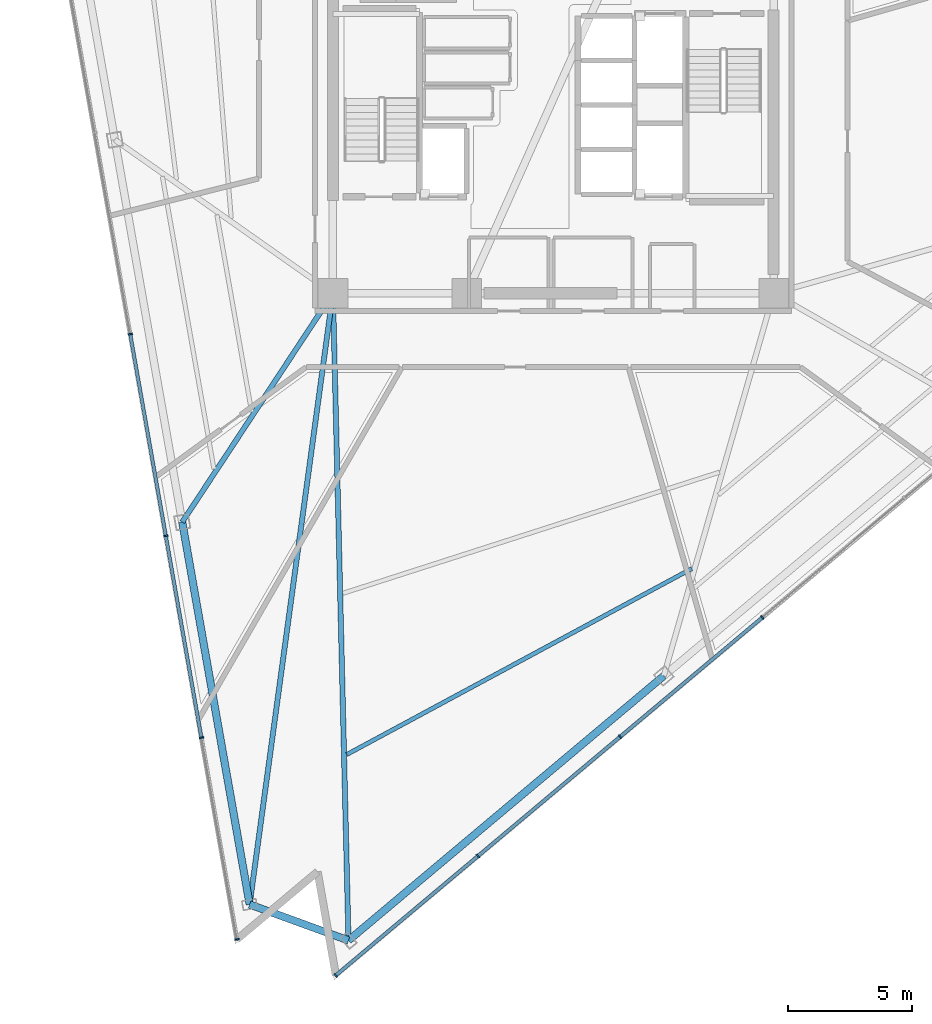
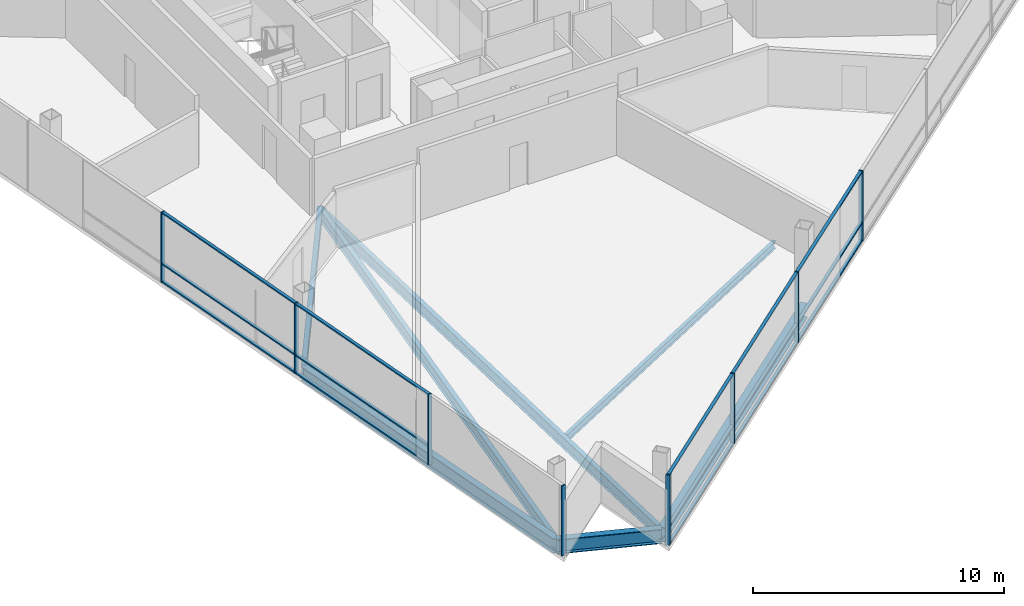
# One storey, part 2 of 15: 23 members, 7 beams, 2 elements without a shape of their own.
"""IFC4 building model written with IfcOpenShell, lengths in metres."""

from ifc_helpers import new_model, si_unit, direction, frame, origin, origin_2d, place, context, subcontext, project, spatial, rectangle, i_section, extrude, material, layer, layer_set, material_profile, profile_set, type_object, element, aggregate, save


model = new_model("IFC4")

# Units and contexts
model_context = context("Model", 3, precision=1e-05, world=origin(), true_north=direction((0.0, 1.0)))
body_context = subcontext(model_context, "Body", "Model", "MODEL_VIEW")
ifc_project = project(units=[si_unit("LENGTHUNIT", "METRE"), si_unit("AREAUNIT", "SQUARE_METRE"), si_unit("VOLUMEUNIT", "CUBIC_METRE"), si_unit("PLANEANGLEUNIT", "RADIAN"), si_unit("MASSUNIT", "GRAM", prefix="KILO")], contexts=[model_context])

# Site, building, storey
site_placement = place(None, origin())
site = spatial("IfcSite", under=ifc_project, at=site_placement, CompositionType="ELEMENT")
building_placement = place(site_placement, origin())
building = spatial("IfcBuilding", under=site, at=building_placement, Name="Tharavind Bronze Gate", CompositionType="ELEMENT")
storey_placement = place(building_placement, frame((0.0, 0.0, 174.10009765625)))
storey = spatial("IfcBuildingStorey", under=building, at=storey_placement, Name="L44", CompositionType="ELEMENT", Elevation=174.10009765625)

# Curtain wall, members
ifc_material_1 = material(Name="Anodised Bronze Aluminium", Category="aluminium")
ifc_layer = layer(ifc_material_1, 0.219970703125)
ifc_layer_set = layer_set([ifc_layer], Name="Anodised Bronze Aluminium")
curtain_wall_type = type_object("IfcCurtainWallType", Name="UNITISED CURTAIN WALL MID OFFICE", PredefinedType="USERDEFINED", material=ifc_layer_set)
curtain_wall_1_placement = place(storey_placement, origin())
curtain_wall_1 = element("IfcCurtainWall", 1, at=curtain_wall_1_placement, inside=storey, type_object=curtain_wall_type, Name="L44 unitised curtain wall mid office CW-L44-S1", ObjectType="UNITISED CURTAIN WALL", PredefinedType="USERDEFINED")
member_type_1 = type_object("IfcMemberType", Name="CURTAIN WALL BRONZE MULLION 65X180", PredefinedType="MULLION", material=ifc_material_1)
member_1_placement = place(storey_placement, frame((-17.086669921875, -9.250732421875, 0.0), z_axis=(0.0, 0.0, 1.0), x_axis=(0.173648177667, -0.984807753012, 0.0)))
member_1 = element("IfcMember", 2, at=member_1_placement, type_object=member_type_1, Name="CW-L44-S1 mullion 4", PredefinedType="MULLION", context=body_context, shape_type="SweptSolid", body=[
    extrude(rectangle(XDim=0.06494140625, YDim=0.179931640625, at=origin_2d()), origin(), (0.0, 0.0, 1.0), 3.419921875),
])
member_2_placement = place(storey_placement, frame((-15.650146484375, -17.3984375, 0.0), z_axis=(0.0, 0.0, 1.0), x_axis=(0.173648177667, -0.984807753012, 0.0)))
member_2 = element("IfcMember", 3, at=member_2_placement, type_object=member_type_1, Name="CW-L44-S1 mullion 5", PredefinedType="MULLION", context=body_context, shape_type="SweptSolid", body=[
    extrude(rectangle(XDim=0.06494140625, YDim=0.179931640625, at=origin_2d()), origin(), (0.0, 0.0, 1.0), 3.419921875),
])
member_3_placement = place(storey_placement, frame((-14.21337890625, -25.546142578125, 0.0), z_axis=(0.0, 0.0, 1.0), x_axis=(0.173648177667, -0.984807753012, 0.0)))
member_3 = element("IfcMember", 4, at=member_3_placement, type_object=member_type_1, Name="CW-L44-S1 mullion 6", PredefinedType="MULLION", context=body_context, shape_type="SweptSolid", body=[
    extrude(rectangle(XDim=0.06494140625, YDim=0.179931640625, at=origin_2d()), origin(), (0.0, 0.0, 1.0), 3.419921875),
])
member_4_placement = place(storey_placement, frame((-12.77685546875, -33.69384765625, 0.0), z_axis=(0.0, 0.0, 1.0), x_axis=(0.173648177667, -0.984807753012, 0.0)))
member_4 = element("IfcMember", 5, at=member_4_placement, type_object=member_type_1, Name="CW-L44-S1 mullion 7", PredefinedType="MULLION", context=body_context, shape_type="SweptSolid", body=[
    extrude(rectangle(XDim=0.06494140625, YDim=0.179931640625, at=origin_2d()), origin(), (0.0, 0.0, 1.0), 3.419921875),
])

curtain_wall_2_placement = place(storey_placement, origin())
curtain_wall_2 = element("IfcCurtainWall", 6, at=curtain_wall_2_placement, inside=storey, type_object=curtain_wall_type, Name="L44 unitised curtain wall mid office CW-L44-S2", ObjectType="UNITISED CURTAIN WALL", PredefinedType="USERDEFINED")
member_5_placement = place(storey_placement, frame((-8.784912109375, -35.146728515625, 0.0), z_axis=(0.0, 0.0, 1.0), x_axis=(0.766043321242, 0.642788946685, 0.0)))
member_5 = element("IfcMember", 7, at=member_5_placement, type_object=member_type_1, Name="CW-L44-S2 mullion 1", PredefinedType="MULLION", context=body_context, shape_type="SweptSolid", body=[
    extrude(rectangle(XDim=0.06494140625, YDim=0.179931640625, at=origin_2d()), origin(), (0.0, 0.0, 1.0), 3.419921875),
])
member_6_placement = place(storey_placement, frame((-3.042724609375, -30.328369140625, 0.0), z_axis=(0.0, 0.0, 1.0), x_axis=(0.766043321242, 0.642788946685, 0.0)))
member_6 = element("IfcMember", 8, at=member_6_placement, type_object=member_type_1, Name="CW-L44-S2 mullion 2", PredefinedType="MULLION", context=body_context, shape_type="SweptSolid", body=[
    extrude(rectangle(XDim=0.06494140625, YDim=0.179931640625, at=origin_2d()), origin(), (0.0, 0.0, 1.0), 3.419921875),
])
member_7_placement = place(storey_placement, frame((2.69970703125, -25.510009765625, 0.0), z_axis=(0.0, 0.0, 1.0), x_axis=(0.766043321242, 0.642788946685, 0.0)))
member_7 = element("IfcMember", 9, at=member_7_placement, type_object=member_type_1, Name="CW-L44-S2 mullion 3", PredefinedType="MULLION", context=body_context, shape_type="SweptSolid", body=[
    extrude(rectangle(XDim=0.06494140625, YDim=0.179931640625, at=origin_2d()), origin(), (0.0, 0.0, 1.0), 3.419921875),
])
member_8_placement = place(storey_placement, frame((8.44189453125, -20.691650390625, 0.0), z_axis=(0.0, 0.0, 1.0), x_axis=(0.766043321242, 0.642788946685, 0.0)))
member_8 = element("IfcMember", 10, at=member_8_placement, type_object=member_type_1, Name="CW-L44-S2 mullion 4", PredefinedType="MULLION", context=body_context, shape_type="SweptSolid", body=[
    extrude(rectangle(XDim=0.06494140625, YDim=0.179931640625, at=origin_2d()), origin(), (0.0, 0.0, 1.0), 3.419921875),
])

# Member
member_type_2 = type_object("IfcMemberType", Name="CURTAIN WALL BRONZE TRANSOM 65X140", PredefinedType="USERDEFINED", material=ifc_material_1)
member_9_placement = place(storey_placement, frame((-16.368408203125, -13.32470703125, 0.0), z_axis=(0.0, 0.0, 1.0), x_axis=(0.173648177667, -0.984807753012, 0.0)))
member_9 = element("IfcMember", 11, at=member_9_placement, type_object=member_type_2, Name="CW-L44-S1 transom TB4", ObjectType="TRANSOM", PredefinedType="USERDEFINED", context=body_context, shape_type="SweptSolid", body=[
    extrude(rectangle(XDim=8.220458984375, YDim=0.139892578125, at=origin_2d()), origin(), (0.0, 0.0, 1.0), 0.06494140625),
])

member_10_placement = place(storey_placement, frame((-16.368408203125, -13.32470703125, 0.867431640625), z_axis=(0.0, 0.0, 1.0), x_axis=(0.173648177667, -0.984807753012, 0.0)))
member_10 = element("IfcMember", 12, at=member_10_placement, type_object=member_type_2, Name="CW-L44-S1 transom TS4", ObjectType="TRANSOM", PredefinedType="USERDEFINED", context=body_context, shape_type="SweptSolid", body=[
    extrude(rectangle(XDim=8.220458984375, YDim=0.139892578125, at=origin_2d()), origin(), (0.0, 0.0, 1.0), 0.06494140625),
])

member_11_placement = place(storey_placement, frame((-16.368408203125, -13.32470703125, 3.35498046875), z_axis=(0.0, 0.0, 1.0), x_axis=(0.173648177667, -0.984807753012, 0.0)))
member_11 = element("IfcMember", 13, at=member_11_placement, type_object=member_type_2, Name="CW-L44-S1 transom TT4", ObjectType="TRANSOM", PredefinedType="USERDEFINED", context=body_context, shape_type="SweptSolid", body=[
    extrude(rectangle(XDim=8.220458984375, YDim=0.139892578125, at=origin_2d()), origin(), (0.0, 0.0, 1.0), 0.06494140625),
])

member_12_placement = place(storey_placement, frame((-14.931884765625, -21.472412109375, 0.0), z_axis=(0.0, 0.0, 1.0), x_axis=(0.173648177667, -0.984807753012, 0.0)))
member_12 = element("IfcMember", 14, at=member_12_placement, type_object=member_type_2, Name="CW-L44-S1 transom TB5", ObjectType="TRANSOM", PredefinedType="USERDEFINED", context=body_context, shape_type="SweptSolid", body=[
    extrude(rectangle(XDim=8.220458984375, YDim=0.139892578125, at=origin_2d()), origin(), (0.0, 0.0, 1.0), 0.06494140625),
])

member_13_placement = place(storey_placement, frame((-14.931884765625, -21.472412109375, 0.867431640625), z_axis=(0.0, 0.0, 1.0), x_axis=(0.173648177667, -0.984807753012, 0.0)))
member_13 = element("IfcMember", 15, at=member_13_placement, type_object=member_type_2, Name="CW-L44-S1 transom TS5", ObjectType="TRANSOM", PredefinedType="USERDEFINED", context=body_context, shape_type="SweptSolid", body=[
    extrude(rectangle(XDim=8.220458984375, YDim=0.139892578125, at=origin_2d()), origin(), (0.0, 0.0, 1.0), 0.06494140625),
])

member_14_placement = place(storey_placement, frame((-14.931884765625, -21.472412109375, 3.35498046875), z_axis=(0.0, 0.0, 1.0), x_axis=(0.173648177667, -0.984807753012, 0.0)))
member_14 = element("IfcMember", 16, at=member_14_placement, type_object=member_type_2, Name="CW-L44-S1 transom TT5", ObjectType="TRANSOM", PredefinedType="USERDEFINED", context=body_context, shape_type="SweptSolid", body=[
    extrude(rectangle(XDim=8.220458984375, YDim=0.139892578125, at=origin_2d()), origin(), (0.0, 0.0, 1.0), 0.06494140625),
])

aggregate(curtain_wall_1, [member_1, member_2, member_3, member_4, member_9, member_10, member_11, member_12, member_13, member_14])

member_15_placement = place(storey_placement, frame((-5.913818359375, -32.737548828125, 0.0), z_axis=(0.0, 0.0, 1.0), x_axis=(0.766043321242, 0.642788946685, 0.0)))
member_15 = element("IfcMember", 17, at=member_15_placement, type_object=member_type_2, Name="CW-L44-S2 transom TB1", ObjectType="TRANSOM", PredefinedType="USERDEFINED", context=body_context, shape_type="SweptSolid", body=[
    extrude(rectangle(XDim=7.443115234375, YDim=0.139892578125, at=origin_2d()), origin(), (0.0, 0.0, 1.0), 0.06494140625),
])

member_16_placement = place(storey_placement, frame((-5.913818359375, -32.737548828125, 0.867431640625), z_axis=(0.0, 0.0, 1.0), x_axis=(0.766043321242, 0.642788946685, 0.0)))
member_16 = element("IfcMember", 18, at=member_16_placement, type_object=member_type_2, Name="CW-L44-S2 transom TS1", ObjectType="TRANSOM", PredefinedType="USERDEFINED", context=body_context, shape_type="SweptSolid", body=[
    extrude(rectangle(XDim=7.443115234375, YDim=0.139892578125, at=origin_2d()), origin(), (0.0, 0.0, 1.0), 0.06494140625),
])

member_17_placement = place(storey_placement, frame((-5.913818359375, -32.737548828125, 3.35498046875), z_axis=(0.0, 0.0, 1.0), x_axis=(0.766043321242, 0.642788946685, 0.0)))
member_17 = element("IfcMember", 19, at=member_17_placement, type_object=member_type_2, Name="CW-L44-S2 transom TT1", ObjectType="TRANSOM", PredefinedType="USERDEFINED", context=body_context, shape_type="SweptSolid", body=[
    extrude(rectangle(XDim=7.443115234375, YDim=0.139892578125, at=origin_2d()), origin(), (0.0, 0.0, 1.0), 0.06494140625),
])

member_18_placement = place(storey_placement, frame((-0.171630859375, -27.919189453125, 0.0), z_axis=(0.0, 0.0, 1.0), x_axis=(0.766043321242, 0.642788946685, 0.0)))
member_18 = element("IfcMember", 20, at=member_18_placement, type_object=member_type_2, Name="CW-L44-S2 transom TB2", ObjectType="TRANSOM", PredefinedType="USERDEFINED", context=body_context, shape_type="SweptSolid", body=[
    extrude(rectangle(XDim=7.443115234375, YDim=0.139892578125, at=origin_2d()), origin(), (0.0, 0.0, 1.0), 0.06494140625),
])

member_19_placement = place(storey_placement, frame((-0.171630859375, -27.919189453125, 0.867431640625), z_axis=(0.0, 0.0, 1.0), x_axis=(0.766043321242, 0.642788946685, 0.0)))
member_19 = element("IfcMember", 21, at=member_19_placement, type_object=member_type_2, Name="CW-L44-S2 transom TS2", ObjectType="TRANSOM", PredefinedType="USERDEFINED", context=body_context, shape_type="SweptSolid", body=[
    extrude(rectangle(XDim=7.443115234375, YDim=0.139892578125, at=origin_2d()), origin(), (0.0, 0.0, 1.0), 0.06494140625),
])

member_20_placement = place(storey_placement, frame((-0.171630859375, -27.919189453125, 3.35498046875), z_axis=(0.0, 0.0, 1.0), x_axis=(0.766043321242, 0.642788946685, 0.0)))
member_20 = element("IfcMember", 22, at=member_20_placement, type_object=member_type_2, Name="CW-L44-S2 transom TT2", ObjectType="TRANSOM", PredefinedType="USERDEFINED", context=body_context, shape_type="SweptSolid", body=[
    extrude(rectangle(XDim=7.443115234375, YDim=0.139892578125, at=origin_2d()), origin(), (0.0, 0.0, 1.0), 0.06494140625),
])

member_21_placement = place(storey_placement, frame((5.57080078125, -23.100830078125, 0.0), z_axis=(0.0, 0.0, 1.0), x_axis=(0.766043321242, 0.642788946685, 0.0)))
member_21 = element("IfcMember", 23, at=member_21_placement, type_object=member_type_2, Name="CW-L44-S2 transom TB3", ObjectType="TRANSOM", PredefinedType="USERDEFINED", context=body_context, shape_type="SweptSolid", body=[
    extrude(rectangle(XDim=7.443115234375, YDim=0.139892578125, at=origin_2d()), origin(), (0.0, 0.0, 1.0), 0.06494140625),
])

member_22_placement = place(storey_placement, frame((5.57080078125, -23.100830078125, 0.867431640625), z_axis=(0.0, 0.0, 1.0), x_axis=(0.766043321242, 0.642788946685, 0.0)))
member_22 = element("IfcMember", 24, at=member_22_placement, type_object=member_type_2, Name="CW-L44-S2 transom TS3", ObjectType="TRANSOM", PredefinedType="USERDEFINED", context=body_context, shape_type="SweptSolid", body=[
    extrude(rectangle(XDim=7.443115234375, YDim=0.139892578125, at=origin_2d()), origin(), (0.0, 0.0, 1.0), 0.06494140625),
])

member_23_placement = place(storey_placement, frame((5.57080078125, -23.100830078125, 3.35498046875), z_axis=(0.0, 0.0, 1.0), x_axis=(0.766043321242, 0.642788946685, 0.0)))
member_23 = element("IfcMember", 25, at=member_23_placement, type_object=member_type_2, Name="CW-L44-S2 transom TT3", ObjectType="TRANSOM", PredefinedType="USERDEFINED", context=body_context, shape_type="SweptSolid", body=[
    extrude(rectangle(XDim=7.443115234375, YDim=0.139892578125, at=origin_2d()), origin(), (0.0, 0.0, 1.0), 0.06494140625),
])

aggregate(curtain_wall_2, [member_5, member_6, member_7, member_8, member_15, member_16, member_17, member_18, member_19, member_20, member_21, member_22, member_23])

# Beams
ifc_material_2 = material(Name="Steel S355", Category="steel")
ifc_material_profile_1 = material_profile(ifc_material_2, i_section(OverallWidth=0.2099609375, OverallDepth=0.550048828125, WebThickness=0.010986328125, FlangeThickness=0.01708984375, at=origin_2d()), Name="IPE550")
ifc_profile_set_1 = profile_set([ifc_material_profile_1], Name="Steel S355")
beam_type_1 = type_object("IfcBeamType", Name="PRIMARY GIRDER IPE550", PredefinedType="USERDEFINED", material=ifc_profile_set_1)
beam_1_placement = place(storey_placement, frame((-14.98681640625, -16.841796875, -0.455078125), z_axis=(0.550048368659, 0.835132799102, 0.0), x_axis=(-0.835132799102, 0.550048368659, 0.0)))
element("IfcBeam", 26, at=beam_1_placement, inside=storey, type_object=beam_type_1, Name="L44 primary girder ipe550 BM-L44-RAD03", ObjectType="GIRDER", PredefinedType="USERDEFINED", context=body_context, shape_type="SweptSolid", body=[
    extrude(i_section(OverallWidth=0.2099609375, OverallDepth=0.550048828125, WebThickness=0.010986328125, FlangeThickness=0.01708984375, at=origin_2d()), origin(), (0.0, 0.0, 1.0), 11.066162109375),
])
beam_2_placement = place(storey_placement, frame((-12.263916015625, -32.2841796875, -0.455078125), z_axis=(0.135034486087, 0.99084089922, 0.0), x_axis=(-0.99084089922, 0.135034486087, 0.0)))
element("IfcBeam", 27, at=beam_2_placement, inside=storey, type_object=beam_type_1, Name="L44 primary girder ipe550 BM-L44-RAD04", ObjectType="GIRDER", PredefinedType="USERDEFINED", context=body_context, shape_type="SweptSolid", body=[
    extrude(i_section(OverallWidth=0.2099609375, OverallDepth=0.550048828125, WebThickness=0.010986328125, FlangeThickness=0.01708984375, at=origin_2d()), origin(), (0.0, 0.0, 1.0), 24.912353515625),
])
beam_3_placement = place(storey_placement, frame((-8.27197265625, -33.737060546875, -0.455078125), z_axis=(-0.024017654771, 0.999711534523, 0.0), x_axis=(-0.999711534523, -0.024017654771, 0.0)))
element("IfcBeam", 28, at=beam_3_placement, inside=storey, type_object=beam_type_1, Name="L44 primary girder ipe550 BM-L44-RAD05", ObjectType="GIRDER", PredefinedType="USERDEFINED", context=body_context, shape_type="SweptSolid", body=[
    extrude(i_section(OverallWidth=0.2099609375, OverallDepth=0.550048828125, WebThickness=0.010986328125, FlangeThickness=0.01708984375, at=origin_2d()), origin(), (0.0, 0.0, 1.0), 26.14453125),
])
ifc_material_profile_2 = material_profile(ifc_material_2, i_section(OverallWidth=0.300048828125, OverallDepth=0.699951171875, WebThickness=0.01708984375, FlangeThickness=0.031982421875, at=origin_2d()), Name="HE700B")
ifc_profile_set_2 = profile_set([ifc_material_profile_2], Name="Steel S355")
beam_type_2 = type_object("IfcBeamType", Name="RING GIRDER HE700B", PredefinedType="USERDEFINED", material=ifc_profile_set_2)
beam_4_placement = place(storey_placement, frame((-14.98681640625, -16.841796875, -0.530029296875), z_axis=(0.173647661488, -0.984807844028, 0.0), x_axis=(0.984807844028, 0.173647661488, 0.0)))
element("IfcBeam", 29, at=beam_4_placement, inside=storey, type_object=beam_type_2, Name="L44 ring girder he700b BM-L44-PRG03", ObjectType="GIRDER", PredefinedType="USERDEFINED", context=body_context, shape_type="SweptSolid", body=[
    extrude(i_section(OverallWidth=0.300048828125, OverallDepth=0.699951171875, WebThickness=0.01708984375, FlangeThickness=0.031982421875, at=origin_2d()), origin(), (0.0, 0.0, 1.0), 15.6806640625),
])
beam_5_placement = place(storey_placement, frame((-12.263916015625, -32.2841796875, -0.530029296875), z_axis=(0.939697742591, -0.342006070953, 0.0), x_axis=(0.342006070953, 0.939697742591, 0.0)))
element("IfcBeam", 30, at=beam_5_placement, inside=storey, type_object=beam_type_2, Name="L44 ring girder he700b BM-L44-PRG04", ObjectType="GIRDER", PredefinedType="USERDEFINED", context=body_context, shape_type="SweptSolid", body=[
    extrude(i_section(OverallWidth=0.300048828125, OverallDepth=0.699951171875, WebThickness=0.01708984375, FlangeThickness=0.031982421875, at=origin_2d()), origin(), (0.0, 0.0, 1.0), 4.248046875),
])
beam_6_placement = place(storey_placement, frame((-8.27197265625, -33.737060546875, -0.530029296875), z_axis=(0.766042947444, 0.642789392159, 0.0), x_axis=(-0.642789392159, 0.766042947444, 0.0)))
element("IfcBeam", 31, at=beam_6_placement, inside=storey, type_object=beam_type_2, Name="L44 ring girder he700b BM-L44-PRG05", ObjectType="GIRDER", PredefinedType="USERDEFINED", context=body_context, shape_type="SweptSolid", body=[
    extrude(i_section(OverallWidth=0.300048828125, OverallDepth=0.699951171875, WebThickness=0.01708984375, FlangeThickness=0.031982421875, at=origin_2d()), origin(), (0.0, 0.0, 1.0), 16.624755859375),
])
ifc_material_profile_3 = material_profile(ifc_material_2, i_section(OverallWidth=0.169921875, OverallDepth=0.360107421875, WebThickness=0.008056640625, FlangeThickness=0.0126953125, at=origin_2d()), Name="IPE360")
ifc_profile_set_3 = profile_set([ifc_material_profile_3], Name="Steel S355")
beam_type_3 = type_object("IfcBeamType", Name="SECONDARY FLOOR JOIST IPE360", PredefinedType="JOIST", material=ifc_profile_set_3)
beam_7_placement = place(storey_placement, frame((-8.34375, -26.230224609375, -0.360107421875), z_axis=(0.880319056921, 0.474382080207, 0.0), x_axis=(-0.474382080207, 0.880319056921, 0.0)))
element("IfcBeam", 32, at=beam_7_placement, inside=storey, type_object=beam_type_3, Name="L44 secondary floor joist ipe360 BM-L44-JSTB05", PredefinedType="JOIST", context=body_context, shape_type="SweptSolid", body=[
    extrude(i_section(OverallWidth=0.169921875, OverallDepth=0.360107421875, WebThickness=0.008056640625, FlangeThickness=0.0126953125, at=origin_2d()), origin(), (0.0, 0.0, 1.0), 15.833740234375),
])

save(model, "model.ifc")
